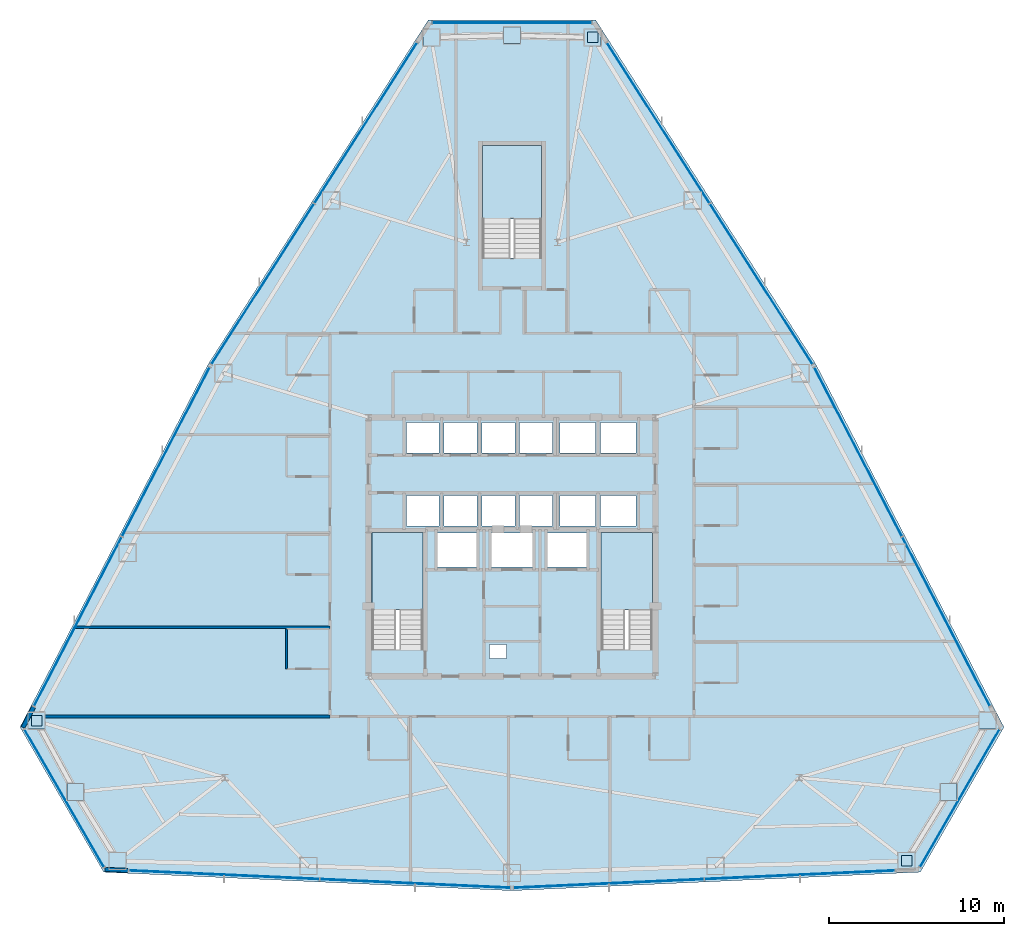
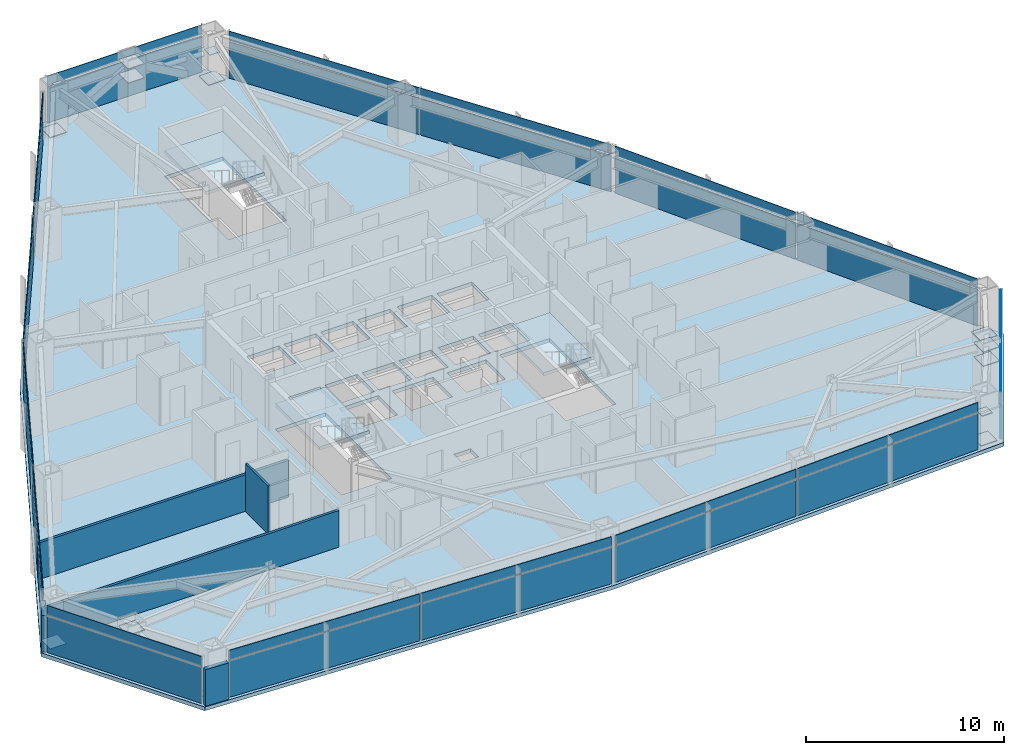
# One storey, part 8 of 13: 45 plates, 5 walls, 4 slabs, 12 elements without a shape of their own.
"""IFC4 building model written with IfcOpenShell, lengths in metres."""

from ifc_helpers import new_model, si_unit, direction, frame, frame_2d, origin, origin_2d, place, context, subcontext, project, spatial, polyline, rectangle, outline, extrude, source, transform, mapped, material, layer, layer_set, type_object, type_shapes, element, aggregate, save


model = new_model("IFC4")

# Units and contexts
model_context = context("Model", 3, precision=1e-05, world=origin(), true_north=direction((0.0, 1.0)))
body_context = subcontext(model_context, "Body", "Model", "MODEL_VIEW")
ifc_project = project(units=[si_unit("LENGTHUNIT", "METRE"), si_unit("AREAUNIT", "SQUARE_METRE"), si_unit("VOLUMEUNIT", "CUBIC_METRE"), si_unit("PLANEANGLEUNIT", "RADIAN"), si_unit("MASSUNIT", "GRAM", prefix="KILO")], contexts=[model_context])

# Site, building, storey
site_placement = place(None, origin())
site = spatial("IfcSite", under=ifc_project, at=site_placement, CompositionType="ELEMENT")
building_placement = place(site_placement, origin())
building = spatial("IfcBuilding", under=site, at=building_placement, Name="Varakhsha Concourse Tower", CompositionType="ELEMENT")
storey_placement = place(building_placement, frame((0.0, 0.0, 86.199951171875)))
storey = spatial("IfcBuildingStorey", under=building, at=storey_placement, Name="L24", CompositionType="ELEMENT", Elevation=86.199951171875)

# Slab
ifc_material_1 = material(Name="Concrete fc 45 MPa", Category="concrete")
ifc_layer_1 = layer(ifc_material_1, 0.22998046875, Name="SL-FLR-230")
ifc_layer_set_1 = layer_set([ifc_layer_1], Name="Concrete fc 45 MPa")
slab_type_1 = type_object("IfcSlabType", Name="SL-FLR-230", PredefinedType="FLOOR", material=ifc_layer_set_1)
slab_1_placement = place(storey_placement, frame((0.0, 0.0, -0.22998046875)))
element("IfcSlab", 1, at=slab_1_placement, inside=storey, type_object=slab_type_1, Name="L24 Composite Structural Slab", PredefinedType="FLOOR", context=body_context, shape_type="SweptSolid", body=[
    extrude(outline(polyline([(44.78564453125, 53.910888671875), (35.21435546875, 53.910888671875), (22.62744140625, 34.22998046875), (11.876708984375, 13.489013671875), (16.662353515625, 5.199951171875), (40.0, 4.139892578125), (63.337646484375, 5.199951171875), (68.123291015625, 13.489013671875), (57.37255859375, 34.22998046875), (44.78564453125, 53.910888671875)]), holes=[polyline([(34.919921875, 17.93994140625), (34.919921875, 24.6298828125), (32.0, 24.6298828125), (32.0, 17.93994140625), (34.919921875, 17.93994140625)]), polyline([(48.02001953125, 17.93994140625), (48.02001953125, 24.6298828125), (45.10009765625, 24.6298828125), (45.10009765625, 17.93994140625), (48.02001953125, 17.93994140625)]), polyline([(41.699951171875, 40.300048828125), (41.699951171875, 46.75), (38.300048828125, 46.75), (38.300048828125, 40.300048828125), (41.699951171875, 40.300048828125)]), polyline([(33.9599609375, 29.159912109375), (35.840087890625, 29.159912109375), (35.840087890625, 30.89990234375), (33.9599609375, 30.89990234375), (33.9599609375, 29.159912109375)]), polyline([(36.1201171875, 29.159912109375), (38.0, 29.159912109375), (38.0, 30.89990234375), (36.1201171875, 30.89990234375), (36.1201171875, 29.159912109375)]), polyline([(38.280029296875, 29.159912109375), (40.159912109375, 29.159912109375), (40.159912109375, 30.89990234375), (38.280029296875, 30.89990234375), (38.280029296875, 29.159912109375)]), polyline([(40.43994140625, 29.159912109375), (42.320068359375, 29.159912109375), (42.320068359375, 30.89990234375), (40.43994140625, 30.89990234375), (40.43994140625, 29.159912109375)]), polyline([(33.9599609375, 25.0), (35.840087890625, 25.0), (35.840087890625, 26.739990234375), (33.9599609375, 26.739990234375), (33.9599609375, 25.0)]), polyline([(36.1201171875, 25.0), (38.0, 25.0), (38.0, 26.739990234375), (36.1201171875, 26.739990234375), (36.1201171875, 25.0)]), polyline([(38.280029296875, 25.0), (40.159912109375, 25.0), (40.159912109375, 26.739990234375), (38.280029296875, 26.739990234375), (38.280029296875, 25.0)]), polyline([(40.43994140625, 25.0), (42.320068359375, 25.0), (42.320068359375, 26.739990234375), (40.43994140625, 26.739990234375), (40.43994140625, 25.0)]), polyline([(42.739990234375, 29.159912109375), (44.780029296875, 29.159912109375), (44.780029296875, 30.89990234375), (42.739990234375, 30.89990234375), (42.739990234375, 29.159912109375)]), polyline([(45.06005859375, 29.159912109375), (47.10009765625, 29.159912109375), (47.10009765625, 30.89990234375), (45.06005859375, 30.89990234375), (45.06005859375, 29.159912109375)]), polyline([(42.739990234375, 25.0), (44.780029296875, 25.0), (44.780029296875, 26.739990234375), (42.739990234375, 26.739990234375), (42.739990234375, 25.0)]), polyline([(45.06005859375, 25.0), (47.10009765625, 25.0), (47.10009765625, 26.739990234375), (45.06005859375, 26.739990234375), (45.06005859375, 25.0)]), polyline([(35.7099609375, 22.639892578125), (37.989990234375, 22.639892578125), (37.989990234375, 24.60009765625), (35.7099609375, 24.60009765625), (35.7099609375, 22.639892578125)]), polyline([(42.010009765625, 22.639892578125), (44.2900390625, 22.639892578125), (44.2900390625, 24.60009765625), (42.010009765625, 24.60009765625), (42.010009765625, 22.639892578125)]), polyline([(38.81005859375, 22.639892578125), (41.18994140625, 22.639892578125), (41.18994140625, 24.60009765625), (38.81005859375, 24.60009765625), (38.81005859375, 22.639892578125)]), polyline([(38.719970703125, 17.39990234375), (39.679931640625, 17.39990234375), (39.679931640625, 18.199951171875), (38.719970703125, 18.199951171875), (38.719970703125, 17.39990234375)])]), origin(), (0.0, 0.0, 1.0), 0.22998046875),
])

# Stair, slab
stair_type_1 = type_object("IfcStairType", Name="ST-DOGLEG-1360", PredefinedType="HALF_TURN_STAIR", material=ifc_material_1)
stair_1_placement = place(storey_placement, origin())
stair_1 = element("IfcStair", 2, at=stair_1_placement, inside=storey, type_object=stair_type_1, Name="L24 Protected Exit Stair ST1", PredefinedType="HALF_TURN_STAIR")
ifc_layer_2 = layer(ifc_material_1, 0.199951171875, Name="SL-LAND-200")
ifc_layer_set_2 = layer_set([ifc_layer_2], Name="Concrete fc 45 MPa")
slab_type_2 = type_object("IfcSlabType", Name="SL-LAND-200", PredefinedType="LANDING", material=ifc_layer_set_2)
slab_2_placement = place(storey_placement, frame((0.0, 0.0, 1.400146484375)))
slab_2 = element("IfcSlab", 3, at=slab_2_placement, type_object=slab_type_2, Name="ST1 landing 1", PredefinedType="LANDING", context=body_context, shape_type="SweptSolid", body=[
    extrude(outline(polyline([(34.919921875, 20.179931640625), (34.919921875, 24.6298828125), (32.0, 24.6298828125), (32.0, 20.179931640625), (34.919921875, 20.179931640625)])), origin(), (0.0, 0.0, 1.0), 0.199951171875),
])
aggregate(stair_1, [slab_2])

stair_2_placement = place(storey_placement, origin())
stair_2 = element("IfcStair", 4, at=stair_2_placement, inside=storey, type_object=stair_type_1, Name="L24 Protected Exit Stair ST2", PredefinedType="HALF_TURN_STAIR")
slab_3_placement = place(storey_placement, frame((0.0, 0.0, 1.400146484375)))
slab_3 = element("IfcSlab", 5, at=slab_3_placement, type_object=slab_type_2, Name="ST2 landing 1", PredefinedType="LANDING", context=body_context, shape_type="SweptSolid", body=[
    extrude(outline(polyline([(48.02001953125, 20.179931640625), (48.02001953125, 24.6298828125), (45.10009765625, 24.6298828125), (45.10009765625, 20.179931640625), (48.02001953125, 20.179931640625)])), origin(), (0.0, 0.0, 1.0), 0.199951171875),
])
aggregate(stair_2, [slab_3])

stair_type_2 = type_object("IfcStairType", Name="ST-DOGLEG-1600", PredefinedType="HALF_TURN_STAIR", material=ifc_material_1)
stair_3_placement = place(storey_placement, origin())
stair_3 = element("IfcStair", 6, at=stair_3_placement, inside=storey, type_object=stair_type_2, Name="L24 Protected Exit Stair ST5", PredefinedType="HALF_TURN_STAIR")
slab_4_placement = place(storey_placement, frame((0.0, 0.0, 1.400146484375)))
slab_4 = element("IfcSlab", 7, at=slab_4_placement, type_object=slab_type_2, Name="ST5 landing 1", PredefinedType="LANDING", context=body_context, shape_type="SweptSolid", body=[
    extrude(outline(polyline([(41.699951171875, 42.5400390625), (41.699951171875, 46.75), (38.300048828125, 46.75), (38.300048828125, 42.5400390625), (41.699951171875, 42.5400390625)])), origin(), (0.0, 0.0, 1.0), 0.199951171875),
])
aggregate(stair_3, [slab_4])

# Plates
ifc_material_2 = material(Name="Structural Steel ASTM A572 Grade 50", Category="steel")
ifc_layer_3 = layer(ifc_material_2, 0.030029296875, Name="PL-ENDCAP-950")
ifc_layer_set_3 = layer_set([ifc_layer_3], Name="Structural Steel ASTM A572 Grade 50")
plate_type_1 = type_object("IfcPlateType", Name="PL-ENDCAP-950", PredefinedType="USERDEFINED", material=ifc_layer_set_3)
shared_shape_1 = source(origin(), body_context, "Body", "SweptSolid", [
    extrude(rectangle(XDim=0.949951171875, YDim=0.949951171875, at=origin_2d()), origin(), (0.0, 0.0, 1.0), 0.030029296875),
])
type_shapes(plate_type_1, [shared_shape_1])
for number, where, z_axis, x_axis, name in (
    (8, (44.624755859375, 52.911865234375, 0.10498046875), (0.0, 0.0, 1.0), (1.0, 0.0, 0.0), "Hollow Section End Cap GP-NODE-L24-0223"),
    (9, (40.0, 53.031005859375, 2.6552734375), (0.0, 0.0, 1.0), (1.0, 0.0, 0.0), "Hollow Section End Cap GP-NODE-L24-0224"),
    (10, (35.375244140625, 52.911865234375, 0.10498046875), (0.0, 0.0, 1.0), (1.0, 0.0, 0.0), "Hollow Section End Cap GP-NODE-L24-0225"),
    (11, (12.822509765625, 13.849365234375, 0.10498046875), (0.0, 0.0, 1.0), (1.0, 0.0, 0.0), "Hollow Section End Cap GP-NODE-L24-0226"),
    (12, (15.03173828125, 9.784423828125, 2.6552734375), (0.0, 0.0, 1.0), (1.0, 0.0, 0.0), "Hollow Section End Cap GP-NODE-L24-0227"),
    (13, (17.447265625, 5.8388671875, 0.10498046875), (0.0, 0.0, 1.0), (1.0, 0.0, 0.0), "Hollow Section End Cap GP-NODE-L24-0228"),
    (14, (62.552734375, 5.8388671875, 0.10498046875), (0.0, 0.0, 1.0), (1.0, 0.0, 0.0), "Hollow Section End Cap GP-NODE-L24-0229"),
    (15, (64.96826171875, 9.784423828125, 2.6552734375), (0.0, 0.0, 1.0), (1.0, 0.0, 0.0), "Hollow Section End Cap GP-NODE-L24-0230"),
    (16, (67.177490234375, 13.849365234375, 0.10498046875), (0.0, 0.0, 1.0), (1.0, 0.0, 0.0), "Hollow Section End Cap GP-NODE-L24-0231"),
    (17, (40.0, 53.031005859375, 1.78515625), (0.0, 0.0, 1.0), (1.0, 0.0, 0.0), "Hollow Section End Cap GP-NODE-L24-0232"),
    (18, (15.03173828125, 9.784423828125, 1.78515625), (0.0, 0.0, 1.0), (1.0, 0.0, 0.0), "Hollow Section End Cap GP-NODE-L24-0233"),
    (19, (64.96826171875, 9.784423828125, 1.78515625), (0.0, 0.0, 1.0), (1.0, 0.0, 0.0), "Hollow Section End Cap GP-NODE-L24-0234"),
):
    element("IfcPlate", number, at=place(storey_placement, frame(where, z_axis=z_axis, x_axis=x_axis)), inside=storey, type_object=plate_type_1, Name=name, ObjectType="END PLATE", PredefinedType="USERDEFINED", context=body_context, shape_type="MappedRepresentation", body=[
        mapped(shared_shape_1, transform((0.0, 0.0, 0.0), scale=1.0)),
    ])
ifc_layer_4 = layer(ifc_material_2, 0.030029296875, Name="PL-BASE-600")
ifc_layer_set_4 = layer_set([ifc_layer_4], Name="Structural Steel ASTM A572 Grade 50")
plate_type_2 = type_object("IfcPlateType", Name="PL-BASE-600", PredefinedType="SHEET", material=ifc_layer_set_4)
shared_shape_2 = source(origin(), body_context, "Body", "SweptSolid", [
    extrude(rectangle(XDim=0.60009765625, YDim=0.60009765625, at=origin_2d()), origin(), (0.0, 0.0, 1.0), 0.030029296875),
])
type_shapes(plate_type_2, [shared_shape_2])
for number, where, z_axis, x_axis, name in (
    (20, (44.624755859375, 52.911865234375, 1.78515625), (0.0, 0.0, 1.0), (1.0, 0.0, 0.0), "Hollow Section End Cap BP-WTIE-L24-1"),
    (21, (12.822509765625, 13.849365234375, 1.78515625), (0.0, 0.0, 1.0), (1.0, 0.0, 0.0), "Hollow Section End Cap BP-WTIE-L24-2"),
    (22, (62.552734375, 5.8388671875, 1.78515625), (0.0, 0.0, 1.0), (1.0, 0.0, 0.0), "Hollow Section End Cap BP-WTIE-L24-3"),
):
    element("IfcPlate", number, at=place(storey_placement, frame(where, z_axis=z_axis, x_axis=x_axis)), inside=storey, type_object=plate_type_2, Name=name, PredefinedType="SHEET", context=body_context, shape_type="MappedRepresentation", body=[
        mapped(shared_shape_2, transform((0.0, 0.0, 0.0), scale=1.0)),
    ])

# Curtain wall, plate
ifc_material_3 = material(Name="Anodised Bronze Architectural Aluminium AA 6063-T6", Category="aluminium")
ifc_layer_5 = layer(ifc_material_3, 0.199951171875, Name="CW-SYS-03")
ifc_layer_set_5 = layer_set([ifc_layer_5], Name="Anodised Bronze Architectural Aluminium AA 6063-T6")
curtain_wall_type = type_object("IfcCurtainWallType", Name="CW-SYS-03", PredefinedType="NOTDEFINED", material=ifc_layer_set_5)
curtain_wall_1_placement = place(storey_placement, origin())
curtain_wall_1 = element("IfcCurtainWall", 23, at=curtain_wall_1_placement, inside=storey, type_object=curtain_wall_type, Name="L24 Chamfer Curtain Wall F1", PredefinedType="NOTDEFINED")
ifc_material_4 = material(Name="Insulated Anodised Bronze Aluminium Spandrel 36 mm", Category="aluminium")
ifc_layer_6 = layer(ifc_material_4, 0.035888671875, Name="CWP-SPN-36")
ifc_layer_set_6 = layer_set([ifc_layer_6], Name="Insulated Anodised Bronze Aluminium Spandrel 36 mm")
plate_type_3 = type_object("IfcPlateType", Name="CWP-SPN-36", PredefinedType="USERDEFINED", material=ifc_layer_set_6)
shared_shape_3 = source(origin(), body_context, "Body", "SweptSolid", [
    extrude(rectangle(XDim=9.052490234375, YDim=0.035888671875, at=origin_2d()), origin(), (0.0, 0.0, 1.0), 2.2509765625),
])
type_shapes(plate_type_3, [shared_shape_3])
plate_1_placement = place(storey_placement, frame((40.0, 53.7509765625, 0.03466796875), z_axis=(0.0, 0.0, 1.0), x_axis=(1.0, 0.0, 0.0)))
plate_1 = element("IfcPlate", 24, at=plate_1_placement, type_object=plate_type_3, Name="CW-L24-F1 Panel 00-00", ObjectType="SPANDREL", PredefinedType="USERDEFINED", context=body_context, shape_type="MappedRepresentation", body=[
    mapped(shared_shape_3, transform((0.0, 0.0, 0.0), scale=1.0)),
])

curtain_wall_2_placement = place(storey_placement, origin())
curtain_wall_2 = element("IfcCurtainWall", 25, at=curtain_wall_2_placement, inside=storey, type_object=curtain_wall_type, Name="L24 Chamfer Curtain Wall F4", PredefinedType="NOTDEFINED")
plate_2_placement = place(storey_placement, frame((14.408203125, 9.424560546875, 0.03466796875), z_axis=(0.0, 0.0, 1.0), x_axis=(-0.499996976998, 0.866027149108, 0.0)))
plate_2 = element("IfcPlate", 26, at=plate_2_placement, type_object=plate_type_3, Name="CW-L24-F4 Panel 00-00", ObjectType="SPANDREL", PredefinedType="USERDEFINED", context=body_context, shape_type="MappedRepresentation", body=[
    mapped(shared_shape_3, transform((0.0, 0.0, 0.0), scale=1.0)),
])

curtain_wall_3_placement = place(storey_placement, origin())
curtain_wall_3 = element("IfcCurtainWall", 27, at=curtain_wall_3_placement, inside=storey, type_object=curtain_wall_type, Name="L24 Chamfer Curtain Wall F7", PredefinedType="NOTDEFINED")
plate_3_placement = place(storey_placement, frame((65.591796875, 9.424560546875, 0.03466796875), z_axis=(0.0, 0.0, 1.0), x_axis=(-0.499996976998, -0.866027149108, 0.0)))
plate_3 = element("IfcPlate", 28, at=plate_3_placement, type_object=plate_type_3, Name="CW-L24-F7 Panel 00-00", ObjectType="SPANDREL", PredefinedType="USERDEFINED", context=body_context, shape_type="MappedRepresentation", body=[
    mapped(shared_shape_3, transform((0.0, 0.0, 0.0), scale=1.0)),
])

# Plate
ifc_material_5 = material(Name="Glazed Turquoise-Bronze Ceramic Spandrel Panel 38 mm", Category="ceramic")
ifc_layer_7 = layer(ifc_material_5, 0.0380859375, Name="CWP-SPN-38")
ifc_layer_set_7 = layer_set([ifc_layer_7], Name="Glazed Turquoise-Bronze Ceramic Spandrel Panel 38 mm")
plate_type_4 = type_object("IfcPlateType", Name="CWP-SPN-38", PredefinedType="USERDEFINED", material=ifc_layer_set_7)
shared_shape_4 = source(origin(), body_context, "Body", "SweptSolid", [
    extrude(rectangle(XDim=9.052490234375, YDim=0.0380859375, at=origin_2d()), origin(), (0.0, 0.0, 1.0), 0.5810546875),
])
plate_4_placement = place(storey_placement, frame((40.0, 53.7509765625, 2.3544921875), z_axis=(0.0, 0.0, 1.0), x_axis=(1.0, 0.0, 0.0)))
plate_4 = element("IfcPlate", 29, at=plate_4_placement, type_object=plate_type_4, Name="CW-L24-F1 Panel 00-01", ObjectType="SPANDREL", PredefinedType="USERDEFINED", context=body_context, shape_type="MappedRepresentation", body=[
    mapped(shared_shape_4, transform((0.0, 0.0, 0.0), scale=1.0)),
])

aggregate(curtain_wall_1, [plate_1, plate_4])

plate_5_placement = place(storey_placement, frame((14.408203125, 9.424560546875, 2.3544921875), z_axis=(0.0, 0.0, 1.0), x_axis=(-0.499996976998, 0.866027149108, 0.0)))
plate_5 = element("IfcPlate", 30, at=plate_5_placement, type_object=plate_type_4, Name="CW-L24-F4 Panel 00-01", ObjectType="SPANDREL", PredefinedType="USERDEFINED", context=body_context, shape_type="MappedRepresentation", body=[
    mapped(shared_shape_4, transform((0.0, 0.0, 0.0), scale=1.0)),
])

aggregate(curtain_wall_2, [plate_2, plate_5])

plate_6_placement = place(storey_placement, frame((65.591796875, 9.424560546875, 2.3544921875), z_axis=(0.0, 0.0, 1.0), x_axis=(-0.499996976998, -0.866027149108, 0.0)))
plate_6 = element("IfcPlate", 31, at=plate_6_placement, type_object=plate_type_4, Name="CW-L24-F7 Panel 00-01", ObjectType="SPANDREL", PredefinedType="USERDEFINED", context=body_context, shape_type="MappedRepresentation", body=[
    mapped(shared_shape_4, transform((0.0, 0.0, 0.0), scale=1.0)),
])

aggregate(curtain_wall_3, [plate_3, plate_6])

# Curtain wall, plates
curtain_wall_4_placement = place(storey_placement, origin())
curtain_wall_4 = element("IfcCurtainWall", 32, at=curtain_wall_4_placement, inside=storey, type_object=curtain_wall_type, Name="L24 Crystal Curtain Wall F2", PredefinedType="NOTDEFINED")
ifc_material_6 = material(Name="Low-E Triple Insulating Glass IGU 44 mm", Category="glass")
ifc_layer_8 = layer(ifc_material_6, 0.0439453125, Name="CWP-IGU-44")
ifc_layer_set_8 = layer_set([ifc_layer_8], Name="Low-E Triple Insulating Glass IGU 44 mm")
plate_type_5 = type_object("IfcPlateType", Name="CWP-IGU-44", PredefinedType="CURTAIN_PANEL", material=ifc_layer_set_8)
shared_shape_5 = source(origin(), body_context, "Body", "SweptSolid", [
    extrude(rectangle(XDim=10.851806640625, YDim=0.0439453125, at=origin_2d()), origin(), (0.0, 0.0, 1.0), 2.2509765625),
])
type_shapes(plate_type_5, [shared_shape_5])
plate_7_placement = place(storey_placement, frame((25.75, 38.815673828125, 0.03466796875), z_axis=(0.0, 0.0, 1.0), x_axis=(0.538786958833, 0.842442053195, 0.0)))
plate_7 = element("IfcPlate", 33, at=plate_7_placement, type_object=plate_type_5, Name="CW-L24-F2 Panel 00-00", PredefinedType="CURTAIN_PANEL", context=body_context, shape_type="MappedRepresentation", body=[
    mapped(shared_shape_5, transform((0.0, 0.0, 0.0), scale=1.0)),
])
plate_8_placement = place(storey_placement, frame((31.639404296875, 48.024169921875, 0.03466796875), z_axis=(0.0, 0.0, 1.0), x_axis=(0.538786958833, 0.842442053195, 0.0)))
plate_8 = element("IfcPlate", 34, at=plate_8_placement, type_object=plate_type_5, Name="CW-L24-F2 Panel 01-00", PredefinedType="CURTAIN_PANEL", context=body_context, shape_type="MappedRepresentation", body=[
    mapped(shared_shape_5, transform((0.0, 0.0, 0.0), scale=1.0)),
])

curtain_wall_5_placement = place(storey_placement, origin())
curtain_wall_5 = element("IfcCurtainWall", 35, at=curtain_wall_5_placement, inside=storey, type_object=curtain_wall_type, Name="L24 Crystal Curtain Wall F3", PredefinedType="NOTDEFINED")
plate_9_placement = place(storey_placement, frame((15.187255859375, 19.528564453125, 0.03466796875), z_axis=(0.0, 0.0, 1.0), x_axis=(0.460185838956, 0.887822613828, 0.0)))
plate_9 = element("IfcPlate", 36, at=plate_9_placement, type_object=plate_type_5, Name="CW-L24-F3 Panel 00-00", PredefinedType="CURTAIN_PANEL", context=body_context, shape_type="MappedRepresentation", body=[
    mapped(shared_shape_5, transform((0.0, 0.0, 0.0), scale=1.0)),
])
plate_10_placement = place(storey_placement, frame((20.217529296875, 29.233154296875, 0.03466796875), z_axis=(0.0, 0.0, 1.0), x_axis=(0.460185838956, 0.887822613828, 0.0)))
plate_10 = element("IfcPlate", 37, at=plate_10_placement, type_object=plate_type_5, Name="CW-L24-F3 Panel 01-00", PredefinedType="CURTAIN_PANEL", context=body_context, shape_type="MappedRepresentation", body=[
    mapped(shared_shape_5, transform((0.0, 0.0, 0.0), scale=1.0)),
])

curtain_wall_6_placement = place(storey_placement, origin())
curtain_wall_6 = element("IfcCurtainWall", 38, at=curtain_wall_6_placement, inside=storey, type_object=curtain_wall_type, Name="L24 Crystal Curtain Wall F5", PredefinedType="NOTDEFINED")
plate_11_placement = place(storey_placement, frame((34.467529296875, 4.55126953125, 0.03466796875), z_axis=(0.0, 0.0, 1.0), x_axis=(-0.998969777905, 0.045380423448, 0.0)))
plate_11 = element("IfcPlate", 39, at=plate_11_placement, type_object=plate_type_5, Name="CW-L24-F5 Panel 00-00", PredefinedType="CURTAIN_PANEL", context=body_context, shape_type="MappedRepresentation", body=[
    mapped(shared_shape_5, transform((0.0, 0.0, 0.0), scale=1.0)),
])
plate_12_placement = place(storey_placement, frame((23.548095703125, 5.04736328125, 0.03466796875), z_axis=(0.0, 0.0, 1.0), x_axis=(-0.998969777905, 0.045380423448, 0.0)))
plate_12 = element("IfcPlate", 40, at=plate_12_placement, type_object=plate_type_5, Name="CW-L24-F5 Panel 01-00", PredefinedType="CURTAIN_PANEL", context=body_context, shape_type="MappedRepresentation", body=[
    mapped(shared_shape_5, transform((0.0, 0.0, 0.0), scale=1.0)),
])

curtain_wall_7_placement = place(storey_placement, origin())
curtain_wall_7 = element("IfcCurtainWall", 41, at=curtain_wall_7_placement, inside=storey, type_object=curtain_wall_type, Name="L24 Crystal Curtain Wall F6", PredefinedType="NOTDEFINED")
plate_13_placement = place(storey_placement, frame((56.451904296875, 5.04736328125, 0.03466796875), z_axis=(0.0, 0.0, 1.0), x_axis=(-0.998969777905, -0.045380423448, 0.0)))
plate_13 = element("IfcPlate", 42, at=plate_13_placement, type_object=plate_type_5, Name="CW-L24-F6 Panel 00-00", PredefinedType="CURTAIN_PANEL", context=body_context, shape_type="MappedRepresentation", body=[
    mapped(shared_shape_5, transform((0.0, 0.0, 0.0), scale=1.0)),
])
plate_14_placement = place(storey_placement, frame((45.532470703125, 4.55126953125, 0.03466796875), z_axis=(0.0, 0.0, 1.0), x_axis=(-0.998969777905, -0.045380423448, 0.0)))
plate_14 = element("IfcPlate", 43, at=plate_14_placement, type_object=plate_type_5, Name="CW-L24-F6 Panel 01-00", PredefinedType="CURTAIN_PANEL", context=body_context, shape_type="MappedRepresentation", body=[
    mapped(shared_shape_5, transform((0.0, 0.0, 0.0), scale=1.0)),
])

curtain_wall_8_placement = place(storey_placement, origin())
curtain_wall_8 = element("IfcCurtainWall", 44, at=curtain_wall_8_placement, inside=storey, type_object=curtain_wall_type, Name="L24 Crystal Curtain Wall F8", PredefinedType="NOTDEFINED")
plate_15_placement = place(storey_placement, frame((59.782470703125, 29.233154296875, 0.03466796875), z_axis=(0.0, 0.0, 1.0), x_axis=(0.460185838956, -0.887822613828, 0.0)))
plate_15 = element("IfcPlate", 45, at=plate_15_placement, type_object=plate_type_5, Name="CW-L24-F8 Panel 00-00", PredefinedType="CURTAIN_PANEL", context=body_context, shape_type="MappedRepresentation", body=[
    mapped(shared_shape_5, transform((0.0, 0.0, 0.0), scale=1.0)),
])
plate_16_placement = place(storey_placement, frame((64.812744140625, 19.528564453125, 0.03466796875), z_axis=(0.0, 0.0, 1.0), x_axis=(0.460185838956, -0.887822613828, 0.0)))
plate_16 = element("IfcPlate", 46, at=plate_16_placement, type_object=plate_type_5, Name="CW-L24-F8 Panel 01-00", PredefinedType="CURTAIN_PANEL", context=body_context, shape_type="MappedRepresentation", body=[
    mapped(shared_shape_5, transform((0.0, 0.0, 0.0), scale=1.0)),
])

curtain_wall_9_placement = place(storey_placement, origin())
curtain_wall_9 = element("IfcCurtainWall", 47, at=curtain_wall_9_placement, inside=storey, type_object=curtain_wall_type, Name="L24 Crystal Curtain Wall F9", PredefinedType="NOTDEFINED")
plate_17_placement = place(storey_placement, frame((48.360595703125, 48.024169921875, 0.03466796875), z_axis=(0.0, 0.0, 1.0), x_axis=(0.538786958833, -0.842442053195, 0.0)))
plate_17 = element("IfcPlate", 48, at=plate_17_placement, type_object=plate_type_5, Name="CW-L24-F9 Panel 00-00", PredefinedType="CURTAIN_PANEL", context=body_context, shape_type="MappedRepresentation", body=[
    mapped(shared_shape_5, transform((0.0, 0.0, 0.0), scale=1.0)),
])
plate_18_placement = place(storey_placement, frame((54.25, 38.815673828125, 0.03466796875), z_axis=(0.0, 0.0, 1.0), x_axis=(0.538786958833, -0.842442053195, 0.0)))
plate_18 = element("IfcPlate", 49, at=plate_18_placement, type_object=plate_type_5, Name="CW-L24-F9 Panel 01-00", PredefinedType="CURTAIN_PANEL", context=body_context, shape_type="MappedRepresentation", body=[
    mapped(shared_shape_5, transform((0.0, 0.0, 0.0), scale=1.0)),
])

# Plate
shared_shape_6 = source(origin(), body_context, "Body", "SweptSolid", [
    extrude(rectangle(XDim=10.851806640625, YDim=0.0380859375, at=origin_2d()), origin(), (0.0, 0.0, 1.0), 0.5810546875),
])
type_shapes(plate_type_4, [shared_shape_4, shared_shape_6])
plate_19_placement = place(storey_placement, frame((25.75, 38.815673828125, 2.3544921875), z_axis=(0.0, 0.0, 1.0), x_axis=(0.538786958833, 0.842442053195, 0.0)))
plate_19 = element("IfcPlate", 50, at=plate_19_placement, type_object=plate_type_4, Name="CW-L24-F2 Panel 00-01", ObjectType="SPANDREL", PredefinedType="USERDEFINED", context=body_context, shape_type="MappedRepresentation", body=[
    mapped(shared_shape_6, transform((0.0, 0.0, 0.0), scale=1.0)),
])

plate_20_placement = place(storey_placement, frame((31.639404296875, 48.024169921875, 2.3544921875), z_axis=(0.0, 0.0, 1.0), x_axis=(0.538786958833, 0.842442053195, 0.0)))
plate_20 = element("IfcPlate", 51, at=plate_20_placement, type_object=plate_type_4, Name="CW-L24-F2 Panel 01-01", ObjectType="SPANDREL", PredefinedType="USERDEFINED", context=body_context, shape_type="MappedRepresentation", body=[
    mapped(shared_shape_6, transform((0.0, 0.0, 0.0), scale=1.0)),
])

aggregate(curtain_wall_4, [plate_7, plate_19, plate_8, plate_20])

plate_21_placement = place(storey_placement, frame((15.187255859375, 19.528564453125, 2.3544921875), z_axis=(0.0, 0.0, 1.0), x_axis=(0.460185838956, 0.887822613828, 0.0)))
plate_21 = element("IfcPlate", 52, at=plate_21_placement, type_object=plate_type_4, Name="CW-L24-F3 Panel 00-01", ObjectType="SPANDREL", PredefinedType="USERDEFINED", context=body_context, shape_type="MappedRepresentation", body=[
    mapped(shared_shape_6, transform((0.0, 0.0, 0.0), scale=1.0)),
])

plate_22_placement = place(storey_placement, frame((20.217529296875, 29.233154296875, 2.3544921875), z_axis=(0.0, 0.0, 1.0), x_axis=(0.460185838956, 0.887822613828, 0.0)))
plate_22 = element("IfcPlate", 53, at=plate_22_placement, type_object=plate_type_4, Name="CW-L24-F3 Panel 01-01", ObjectType="SPANDREL", PredefinedType="USERDEFINED", context=body_context, shape_type="MappedRepresentation", body=[
    mapped(shared_shape_6, transform((0.0, 0.0, 0.0), scale=1.0)),
])

aggregate(curtain_wall_5, [plate_9, plate_21, plate_10, plate_22])

plate_23_placement = place(storey_placement, frame((34.467529296875, 4.55126953125, 2.3544921875), z_axis=(0.0, 0.0, 1.0), x_axis=(-0.998969777905, 0.045380423448, 0.0)))
plate_23 = element("IfcPlate", 54, at=plate_23_placement, type_object=plate_type_4, Name="CW-L24-F5 Panel 00-01", ObjectType="SPANDREL", PredefinedType="USERDEFINED", context=body_context, shape_type="MappedRepresentation", body=[
    mapped(shared_shape_6, transform((0.0, 0.0, 0.0), scale=1.0)),
])

plate_24_placement = place(storey_placement, frame((23.548095703125, 5.04736328125, 2.3544921875), z_axis=(0.0, 0.0, 1.0), x_axis=(-0.998969777905, 0.045380423448, 0.0)))
plate_24 = element("IfcPlate", 55, at=plate_24_placement, type_object=plate_type_4, Name="CW-L24-F5 Panel 01-01", ObjectType="SPANDREL", PredefinedType="USERDEFINED", context=body_context, shape_type="MappedRepresentation", body=[
    mapped(shared_shape_6, transform((0.0, 0.0, 0.0), scale=1.0)),
])

aggregate(curtain_wall_6, [plate_11, plate_23, plate_12, plate_24])

plate_25_placement = place(storey_placement, frame((56.451904296875, 5.04736328125, 2.3544921875), z_axis=(0.0, 0.0, 1.0), x_axis=(-0.998969777905, -0.045380423448, 0.0)))
plate_25 = element("IfcPlate", 56, at=plate_25_placement, type_object=plate_type_4, Name="CW-L24-F6 Panel 00-01", ObjectType="SPANDREL", PredefinedType="USERDEFINED", context=body_context, shape_type="MappedRepresentation", body=[
    mapped(shared_shape_6, transform((0.0, 0.0, 0.0), scale=1.0)),
])

plate_26_placement = place(storey_placement, frame((45.532470703125, 4.55126953125, 2.3544921875), z_axis=(0.0, 0.0, 1.0), x_axis=(-0.998969777905, -0.045380423448, 0.0)))
plate_26 = element("IfcPlate", 57, at=plate_26_placement, type_object=plate_type_4, Name="CW-L24-F6 Panel 01-01", ObjectType="SPANDREL", PredefinedType="USERDEFINED", context=body_context, shape_type="MappedRepresentation", body=[
    mapped(shared_shape_6, transform((0.0, 0.0, 0.0), scale=1.0)),
])

aggregate(curtain_wall_7, [plate_13, plate_25, plate_14, plate_26])

plate_27_placement = place(storey_placement, frame((59.782470703125, 29.233154296875, 2.3544921875), z_axis=(0.0, 0.0, 1.0), x_axis=(0.460185838956, -0.887822613828, 0.0)))
plate_27 = element("IfcPlate", 58, at=plate_27_placement, type_object=plate_type_4, Name="CW-L24-F8 Panel 00-01", ObjectType="SPANDREL", PredefinedType="USERDEFINED", context=body_context, shape_type="MappedRepresentation", body=[
    mapped(shared_shape_6, transform((0.0, 0.0, 0.0), scale=1.0)),
])

plate_28_placement = place(storey_placement, frame((64.812744140625, 19.528564453125, 2.3544921875), z_axis=(0.0, 0.0, 1.0), x_axis=(0.460185838956, -0.887822613828, 0.0)))
plate_28 = element("IfcPlate", 59, at=plate_28_placement, type_object=plate_type_4, Name="CW-L24-F8 Panel 01-01", ObjectType="SPANDREL", PredefinedType="USERDEFINED", context=body_context, shape_type="MappedRepresentation", body=[
    mapped(shared_shape_6, transform((0.0, 0.0, 0.0), scale=1.0)),
])

aggregate(curtain_wall_8, [plate_15, plate_27, plate_16, plate_28])

plate_29_placement = place(storey_placement, frame((48.360595703125, 48.024169921875, 2.3544921875), z_axis=(0.0, 0.0, 1.0), x_axis=(0.538786958833, -0.842442053195, 0.0)))
plate_29 = element("IfcPlate", 60, at=plate_29_placement, type_object=plate_type_4, Name="CW-L24-F9 Panel 00-01", ObjectType="SPANDREL", PredefinedType="USERDEFINED", context=body_context, shape_type="MappedRepresentation", body=[
    mapped(shared_shape_6, transform((0.0, 0.0, 0.0), scale=1.0)),
])

plate_30_placement = place(storey_placement, frame((54.25, 38.815673828125, 2.3544921875), z_axis=(0.0, 0.0, 1.0), x_axis=(0.538786958833, -0.842442053195, 0.0)))
plate_30 = element("IfcPlate", 61, at=plate_30_placement, type_object=plate_type_4, Name="CW-L24-F9 Panel 01-01", ObjectType="SPANDREL", PredefinedType="USERDEFINED", context=body_context, shape_type="MappedRepresentation", body=[
    mapped(shared_shape_6, transform((0.0, 0.0, 0.0), scale=1.0)),
])

aggregate(curtain_wall_9, [plate_17, plate_29, plate_18, plate_30])

# Walls
ifc_layer_9 = layer(ifc_material_1, 0.239990234375, Name="WL-EXT-CRN-240")
ifc_layer_set_9 = layer_set([ifc_layer_9], Name="Concrete fc 45 MPa")
wall_type_1 = type_object("IfcWallType", Name="WL-EXT-CRN-240", PredefinedType="SHEAR", material=ifc_layer_set_9)
wall_1_placement = place(storey_placement, frame((12.65478515625, 14.642822265625, 0.0), z_axis=(0.0, 0.0, 1.0), x_axis=(-0.460138651144, -0.887847071135, 0.0)))
element("IfcWall", 62, at=wall_1_placement, inside=storey, type_object=wall_type_1, Name="L24 Wind-Corner Shoulder Wall F3", PredefinedType="SHEAR", context=body_context, shape_type="SweptSolid", body=[
    extrude(rectangle(XDim=1.3173828125, YDim=0.239990234375, at=frame_2d((0.65869140625, 0.0))), origin(), (0.0, 0.0, 1.0), 2.2529296875),
])
wall_2_placement = place(storey_placement, frame((16.735595703125, 5.35693359375, 0.0), z_axis=(0.0, 0.0, 1.0), x_axis=(0.998967392838, -0.045432896092, 0.0)))
element("IfcWall", 63, at=wall_2_placement, inside=storey, type_object=wall_type_1, Name="L24 Wind-Corner Shoulder Wall F5", PredefinedType="SHEAR", context=body_context, shape_type="SweptSolid", body=[
    extrude(rectangle(XDim=1.316650390625, YDim=0.239990234375, at=frame_2d((0.658203125, 0.0))), origin(), (0.0, 0.0, 1.0), 2.2529296875),
])
ifc_material_7 = material(Name="Acoustic Gypsum Board Partition Assembly", Category="gypsum")
ifc_layer_10 = layer(ifc_material_7, 0.1201171875, Name="WL-PART-120")
ifc_layer_set_10 = layer_set([ifc_layer_10], Name="Acoustic Gypsum Board Partition Assembly")
wall_type_2 = type_object("IfcWallType", Name="WL-PART-120", PredefinedType="PARTITIONING", material=ifc_layer_set_10)
wall_3_placement = place(storey_placement, frame((27.110107421875, 16.81005859375, 0.0), z_axis=(0.0, 0.0, 1.0), x_axis=(0.0, 1.0, 0.0)))
element("IfcWall", 64, at=wall_3_placement, inside=storey, type_object=wall_type_2, Name="L24 Wall ENSW-W-L24-H05", PredefinedType="PARTITIONING", context=body_context, shape_type="SweptSolid", body=[
    extrude(rectangle(XDim=2.280029296875, YDim=0.1201171875, at=frame_2d((1.14013671875, 0.0))), origin(), (0.0, 0.0, 1.0), 2.969970703125),
])
ifc_material_8 = material(Name="Fire-Rated Type X Gypsum Partition Assembly", Category="gypsum")
ifc_layer_11 = layer(ifc_material_8, 0.14990234375, Name="WL-PART-150")
ifc_layer_set_11 = layer_set([ifc_layer_11], Name="Fire-Rated Type X Gypsum Partition Assembly")
wall_type_3 = type_object("IfcWallType", Name="WL-PART-150", PredefinedType="PARTITIONING", material=ifc_layer_set_11)
wall_4_placement = place(storey_placement, frame((12.379150390625, 14.10009765625, 0.0), z_axis=(0.0, 0.0, 1.0), x_axis=(1.0, 0.0, 0.0)))
element("IfcWall", 65, at=wall_4_placement, inside=storey, type_object=wall_type_3, Name="L24 Wall HDIV-WB0-L24", PredefinedType="PARTITIONING", context=body_context, shape_type="SweptSolid", body=[
    extrude(rectangle(XDim=17.220947265625, YDim=0.14990234375, at=frame_2d((8.6103515625, 0.0))), origin(), (0.0, 0.0, 1.0), 2.258056640625),
])
wall_5_placement = place(storey_placement, frame((15.022705078125, 19.199951171875, 0.0), z_axis=(0.0, 0.0, 1.0), x_axis=(1.0, 0.0, 0.0)))
element("IfcWall", 66, at=wall_5_placement, inside=storey, type_object=wall_type_3, Name="L24 Wall HDIV-W1-L24", PredefinedType="PARTITIONING", context=body_context, shape_type="SweptSolid", body=[
    extrude(rectangle(XDim=14.577392578125, YDim=0.14990234375, at=frame_2d((7.28857421875, 0.0))), origin(), (0.0, 0.0, 1.0), 2.258056640625),
])

save(model, "model.ifc")
